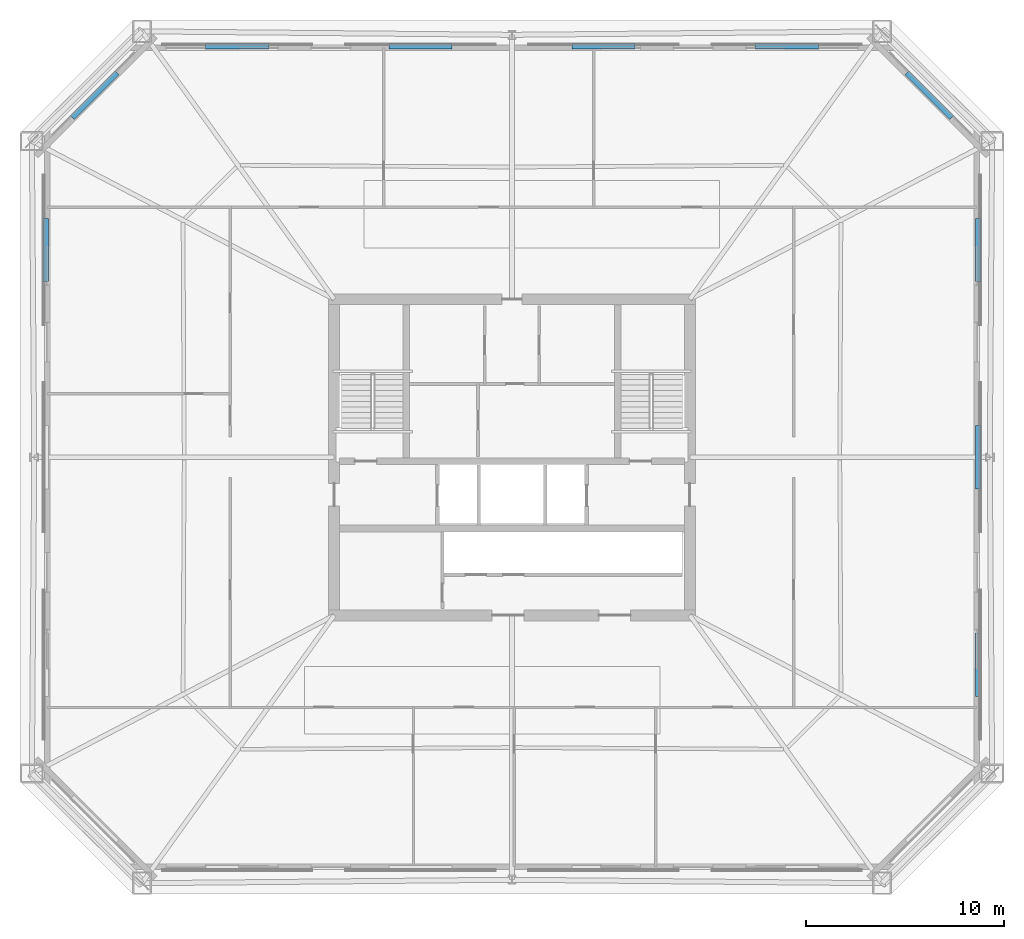
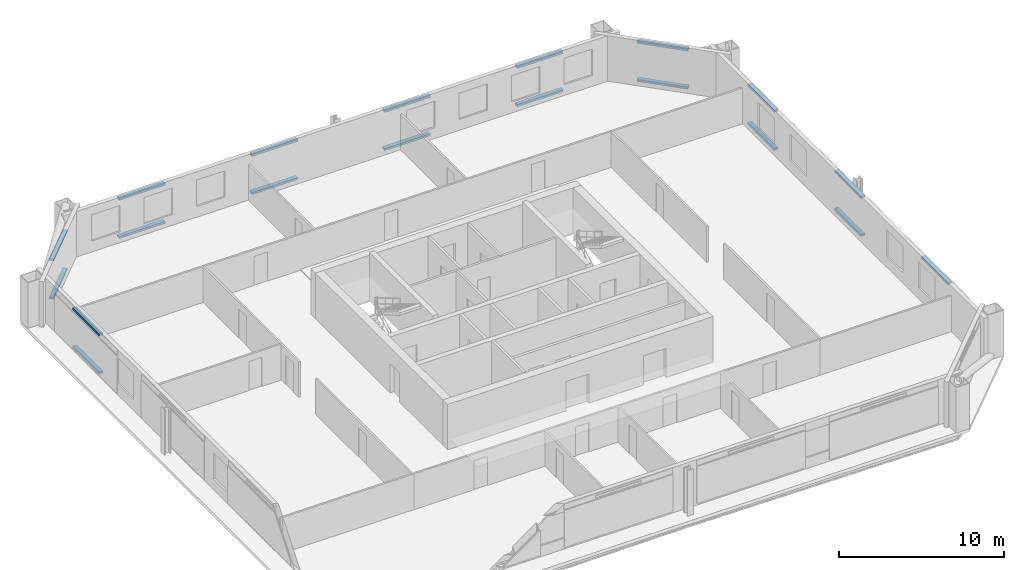
# One storey, part 5 of 7: 19 discrete accessories.
"""IFC4 building model written with IfcOpenShell, lengths in metres."""

from ifc_helpers import new_model, si_unit, direction, frame, origin, origin_2d, place, context, subcontext, project, spatial, rectangle, extrude, material, type_object, element, save


model = new_model("IFC4")

# Units and contexts
model_context = context("Model", 3, precision=1e-05, world=origin(), true_north=direction((0.0, 1.0)))
body_context = subcontext(model_context, "Body", "Model", "MODEL_VIEW")
ifc_project = project(units=[si_unit("LENGTHUNIT", "METRE"), si_unit("AREAUNIT", "SQUARE_METRE"), si_unit("VOLUMEUNIT", "CUBIC_METRE"), si_unit("PLANEANGLEUNIT", "RADIAN"), si_unit("MASSUNIT", "GRAM", prefix="KILO")], contexts=[model_context])

# Site, building, storey
site_placement = place(None, origin())
site = spatial("IfcSite", under=ifc_project, at=site_placement, CompositionType="ELEMENT")
building_placement = place(site_placement, origin())
building = spatial("IfcBuilding", under=site, at=building_placement, Name="Caelvoria Tower", CompositionType="ELEMENT")
storey_placement = place(building_placement, frame((0.0, 0.0, 98.800048828125)))
storey = spatial("IfcBuildingStorey", under=building, at=storey_placement, Name="L25", CompositionType="ELEMENT", Elevation=98.800048828125)

# Discrete accessories
ifc_material = material(Name="Anodised Bronze Stainless Bracket", Category="bronze")
discrete_accessory_type = type_object("IfcDiscreteAccessoryType", Name="Solar Screen Outrigger Support Bracket", PredefinedType="BRACKET", material=ifc_material)
for number, where, z_axis, x_axis, name in (
    (1, (69.596923828125, 21.506591796875, 3.06005859375), (0.0, 0.0, 1.0), (0.0, 1.0, 0.0), "Upper Screen Band Bracket L25-E2-00"),
    (2, (69.596923828125, 32.0, 0.240234375), (0.0, 0.0, 1.0), (0.0, 1.0, 0.0), "Solar Screen Bracket L25-E2-01"),
    (3, (69.596923828125, 32.0, 3.06005859375), (0.0, 0.0, 1.0), (0.0, 1.0, 0.0), "Upper Screen Band Bracket L25-E2-01"),
    (4, (69.596923828125, 42.493408203125, 0.240234375), (0.0, 0.0, 1.0), (0.0, 1.0, 0.0), "Solar Screen Bracket L25-E2-02"),
    (5, (69.596923828125, 42.493408203125, 3.06005859375), (0.0, 0.0, 1.0), (0.0, 1.0, 0.0), "Upper Screen Band Bracket L25-E2-02"),
    (6, (67.128662109375, 50.32861328125, 0.240234375), (0.0, 0.0, 1.0), (-0.707106781187, 0.707106781187, 0.0), "Solar Screen Bracket L25-E3-00"),
    (7, (67.128662109375, 50.32861328125, 3.06005859375), (0.0, 0.0, 1.0), (-0.707106781187, 0.707106781187, 0.0), "Upper Screen Band Bracket L25-E3-00"),
    (8, (59.905029296875, 52.797119140625, 0.240234375), (0.0, 0.0, 1.0), (-1.0, 0.0, 0.0), "Solar Screen Bracket L25-E4-00"),
    (9, (59.905029296875, 52.797119140625, 3.06005859375), (0.0, 0.0, 1.0), (-1.0, 0.0, 0.0), "Upper Screen Band Bracket L25-E4-00"),
    (10, (50.635009765625, 52.797119140625, 0.240234375), (0.0, 0.0, 1.0), (-1.0, 0.0, 0.0), "Solar Screen Bracket L25-E4-01"),
    (11, (50.635009765625, 52.797119140625, 3.06005859375), (0.0, 0.0, 1.0), (-1.0, 0.0, 0.0), "Upper Screen Band Bracket L25-E4-01"),
    (12, (41.364990234375, 52.797119140625, 0.240234375), (0.0, 0.0, 1.0), (-1.0, 0.0, 0.0), "Solar Screen Bracket L25-E4-02"),
    (13, (41.364990234375, 52.797119140625, 3.06005859375), (0.0, 0.0, 1.0), (-1.0, 0.0, 0.0), "Upper Screen Band Bracket L25-E4-02"),
    (14, (32.094970703125, 52.797119140625, 0.240234375), (0.0, 0.0, 1.0), (-1.0, 0.0, 0.0), "Solar Screen Bracket L25-E4-03"),
    (15, (32.094970703125, 52.797119140625, 3.06005859375), (0.0, 0.0, 1.0), (-1.0, 0.0, 0.0), "Upper Screen Band Bracket L25-E4-03"),
    (16, (24.871337890625, 50.32861328125, 0.240234375), (0.0, 0.0, 1.0), (-0.707106781187, -0.707106781187, 0.0), "Solar Screen Bracket L25-E5-00"),
    (17, (24.871337890625, 50.32861328125, 3.06005859375), (0.0, 0.0, 1.0), (-0.707106781187, -0.707106781187, 0.0), "Upper Screen Band Bracket L25-E5-00"),
    (18, (22.403076171875, 42.493408203125, 0.240234375), (0.0, 0.0, 1.0), (0.0, -1.0, 0.0), "Solar Screen Bracket L25-E6-00"),
    (19, (22.403076171875, 42.493408203125, 3.06005859375), (0.0, 0.0, 1.0), (0.0, -1.0, 0.0), "Upper Screen Band Bracket L25-E6-00"),
):
    element("IfcDiscreteAccessory", number, at=place(storey_placement, frame(where, z_axis=z_axis, x_axis=x_axis)), inside=storey, type_object=discrete_accessory_type, Name=name, PredefinedType="BRACKET", context=body_context, shape_type="SweptSolid", body=[
        extrude(rectangle(XDim=3.199951171875, YDim=0.280029296875, at=origin_2d()), origin(), (0.0, 0.0, 1.0), 0.159912109375),
    ])

save(model, "model.ifc")
